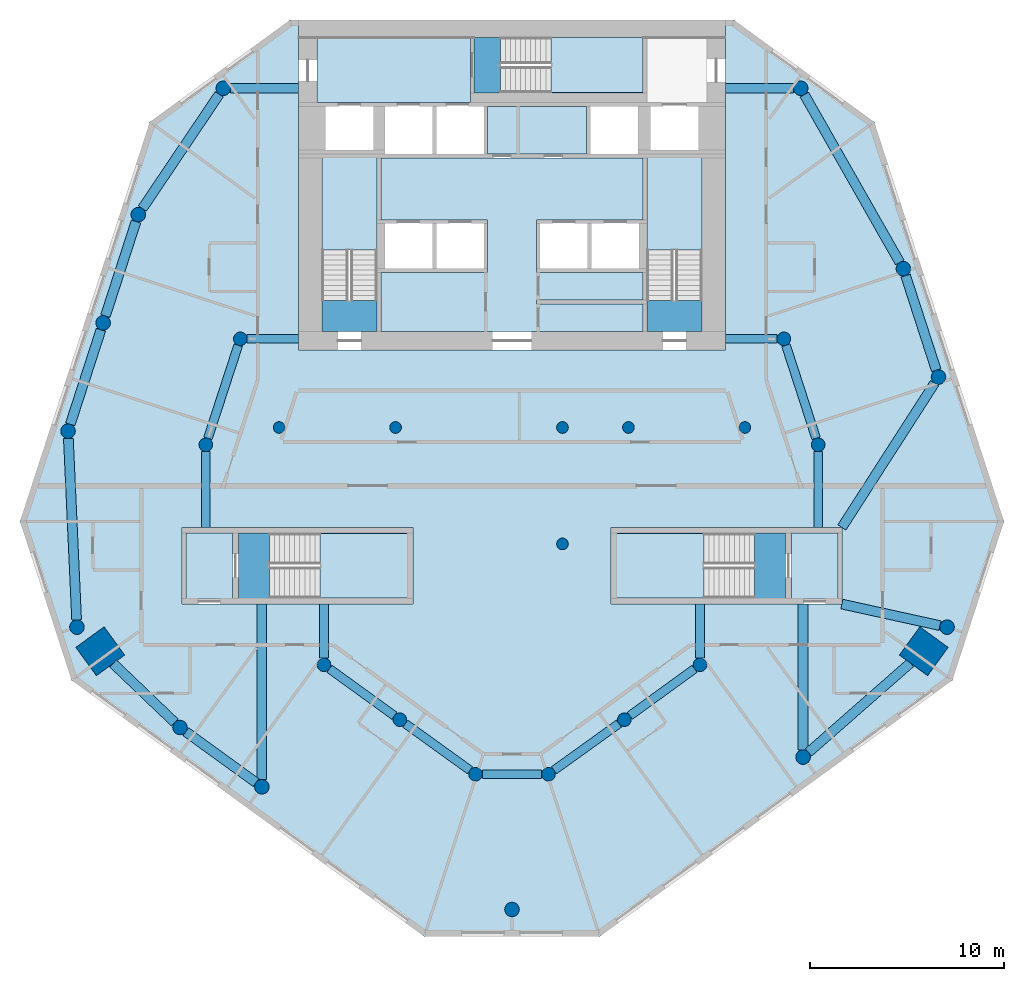
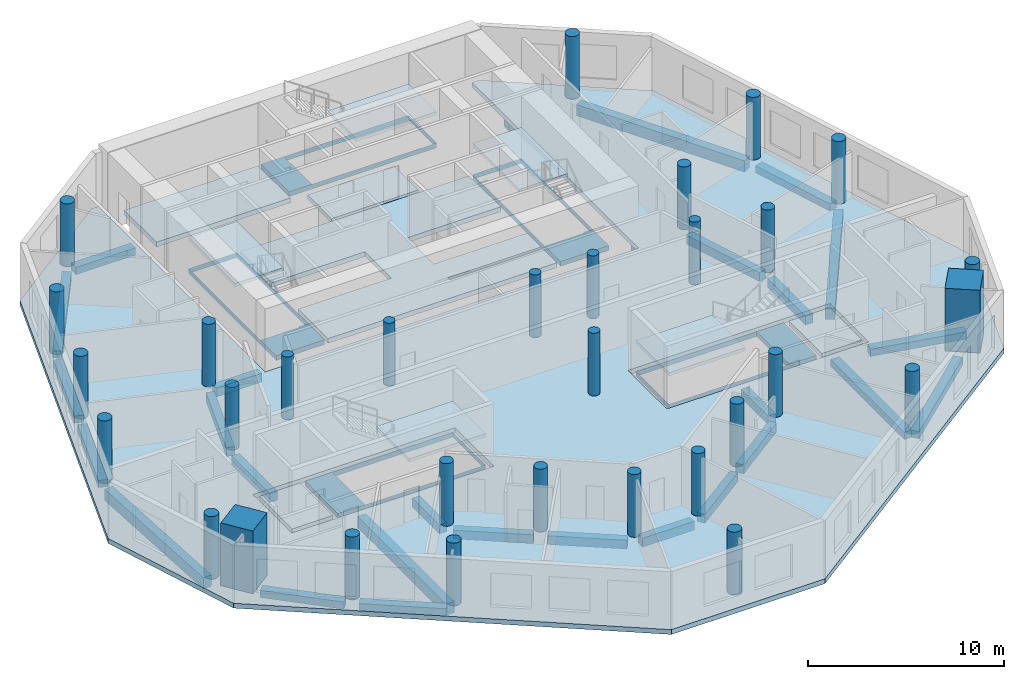
# One storey, part 1 of 9: 31 columns, 28 beams, 16 slabs, 5 elements without a shape of their own.
"""IFC4 building model written with IfcOpenShell, lengths in metres."""

import ifcopenshell
import ifcopenshell.guid

model = None  # the IFC model being written
_history = None  # IfcOwnerHistory: only IFC2X3 demands one
_inside = {}  # id of a spatial element -> (the spatial element, [elements in it])
_under = {}  # id of a project, library or spatial element -> (it, [spatial elements below it])
_declared = {}  # id of a project -> (the project, [libraries it declares])
_typed = {}  # id of a type object -> (the type object, [elements of that type])
_made_of = {}  # id of a material, layer set ... -> (it, [elements and type objects made of it])


def new_model(schema):
    """Start an empty IFC model of exactly this schema.

    Asked for "IFC4X3", IfcOpenShell would pick the latest addendum, in which some entities
    have other attributes; the version numbers below select the first issue.
    IFC2X3 requires an IfcOwnerHistory on every rooted entity: one is made here for all.
    """
    global model, _history
    if schema == "IFC4X3":
        model = ifcopenshell.file(schema_version=(4, 3, 0, 0))
    else:
        model = ifcopenshell.file(schema=schema)
    _inside.clear()
    _under.clear()
    _declared.clear()
    _typed.clear()
    _made_of.clear()
    _history = None
    if model.schema == "IFC2X3":
        org = make("IfcOrganization", Name="unknown")
        user = make(
            "IfcPersonAndOrganization",
            ThePerson=make("IfcPerson", FamilyName="unknown"),
            TheOrganization=org,
        )
        app = make(
            "IfcApplication",
            ApplicationDeveloper=org,
            Version="unknown",
            ApplicationFullName="unknown",
            ApplicationIdentifier="unknown",
        )
        _history = make(
            "IfcOwnerHistory",
            OwningUser=user,
            OwningApplication=app,
            ChangeAction="ADDED",
            CreationDate=0,
        )
    return model


def make(cls, **values):
    """One entity of the class cls with the attributes given. An attribute that is None is left unset."""
    return model.create_entity(
        cls, **{name: value for name, value in values.items() if value is not None}
    )


def rooted(cls, **values):
    """An entity with a GlobalId (a new one), such as an element, a storey or a relation."""
    return make(cls, GlobalId=ifcopenshell.guid.new(), OwnerHistory=_history, **values)


def si_unit(unit_type, name, prefix=None):
    """IfcSIUnit, for example si_unit("LENGTHUNIT", "METRE", prefix="MILLI")."""
    return make("IfcSIUnit", UnitType=unit_type, Prefix=prefix, Name=name)


def assignment(units):
    """IfcUnitAssignment: the units of a project."""
    return None if units is None else make("IfcUnitAssignment", Units=units)


def point(xyz):
    """IfcCartesianPoint."""
    return None if xyz is None else make("IfcCartesianPoint", Coordinates=xyz)


def direction(xyz):
    """IfcDirection."""
    return None if xyz is None else make("IfcDirection", DirectionRatios=xyz)


def frame(location, z_axis=None, x_axis=None):
    """IfcAxis2Placement3D, a coordinate frame: its origin and axes. An axis left out is left unset."""
    return make(
        "IfcAxis2Placement3D",
        Location=point(location),
        Axis=direction(z_axis),
        RefDirection=direction(x_axis),
    )


def frame_2d(location, x_axis=None):
    """IfcAxis2Placement2D, a coordinate frame in the plane: its origin and x axis."""
    return make(
        "IfcAxis2Placement2D", Location=point(location), RefDirection=direction(x_axis)
    )


def origin():
    """The frame at (0, 0, 0) with its axes left unset."""
    return frame((0.0, 0.0, 0.0))


def origin_2d():
    """The frame at (0, 0) in the plane with its x axis left unset."""
    return frame_2d((0.0, 0.0))


def place(relative_to, where):
    """IfcLocalPlacement: puts the frame where relative to a parent placement (None: the world)."""
    return make(
        "IfcLocalPlacement", PlacementRelTo=relative_to, RelativePlacement=where
    )


def context(
    kind, dimensions, precision=None, world=None, true_north=None, identifier=None
):
    """IfcGeometricRepresentationContext, for example the 3D "Model" context."""
    return make(
        "IfcGeometricRepresentationContext",
        ContextIdentifier=identifier,
        ContextType=kind,
        CoordinateSpaceDimension=dimensions,
        Precision=precision,
        WorldCoordinateSystem=world,
        TrueNorth=true_north,
    )


def subcontext(parent, identifier, kind, view, scale=None):
    """IfcGeometricRepresentationSubContext, for example "Body" below "Model"."""
    return make(
        "IfcGeometricRepresentationSubContext",
        ContextIdentifier=identifier,
        ContextType=kind,
        ParentContext=parent,
        TargetScale=scale,
        TargetView=view,
    )


def project(units=None, contexts=None):
    """IfcProject with its units and contexts."""
    return rooted(
        "IfcProject",
        Name="project",
        RepresentationContexts=contexts,
        UnitsInContext=assignment(units),
    )


def spatial(cls, under=None, at=None, **own):
    """A site, building, storey or space (cls), placed at a placement, below another one or the project."""
    s = rooted(cls, ObjectPlacement=at, **own)
    if under is not None:
        _under.setdefault(under.id(), (under, []))[1].append(s)
    return s


def polyline(points):
    """IfcPolyline through the points."""
    return make("IfcPolyline", Points=[point(p) for p in points])


def profile(cls, at=None, kind="AREA", **sizes):
    """A parametric profile (cls). Its sizes go by their IFC names, for example OverallWidth=200.0."""
    return make(cls, ProfileType=kind, Position=at, **sizes)


def rectangle(**sizes):
    """IfcRectangleProfileDef."""
    return profile("IfcRectangleProfileDef", **sizes)


def circle(**sizes):
    """IfcCircleProfileDef."""
    return profile("IfcCircleProfileDef", **sizes)


def outline(outer, holes=None, kind="AREA"):
    """IfcArbitraryClosedProfileDef: a profile drawn as a closed curve; with holes, ...WithVoids."""
    if holes is None:
        return make("IfcArbitraryClosedProfileDef", ProfileType=kind, OuterCurve=outer)
    return make(
        "IfcArbitraryProfileDefWithVoids",
        ProfileType=kind,
        OuterCurve=outer,
        InnerCurves=holes,
    )


def extrude(swept, where, along, depth):
    """IfcExtrudedAreaSolid: the profile swept, set in the frame where, extruded along a direction by depth."""
    return make(
        "IfcExtrudedAreaSolid",
        SweptArea=swept,
        Position=where,
        ExtrudedDirection=direction(along),
        Depth=depth,
    )


def shape(context_of_items, identifier, shape_type, items):
    """IfcShapeRepresentation: the items that make up one representation, for example the "Body"."""
    return make(
        "IfcShapeRepresentation",
        ContextOfItems=context_of_items,
        RepresentationIdentifier=identifier,
        RepresentationType=shape_type,
        Items=items,
    )


def material(Name=None, Category=None):
    """IfcMaterial."""
    return make("IfcMaterial", Name=Name, Category=Category)


def layer(
    of_material, thickness, ventilated=None, Name=None, Category=None, Priority=None
):
    """IfcMaterialLayer: one layer of a wall or slab, of a material (None: an air gap)."""
    return make(
        "IfcMaterialLayer",
        Material=of_material,
        LayerThickness=thickness,
        IsVentilated=ventilated,
        Name=Name,
        Category=Category,
        Priority=Priority,
    )


def layer_set(layers, Name=None):
    """IfcMaterialLayerSet."""
    return make("IfcMaterialLayerSet", MaterialLayers=layers, LayerSetName=Name)


def material_profile(
    of_material, cross_section, Name=None, Category=None, Priority=None
):
    """IfcMaterialProfile: a cross section and its material."""
    return make(
        "IfcMaterialProfile",
        Name=Name,
        Material=of_material,
        Profile=cross_section,
        Priority=Priority,
        Category=Category,
    )


def profile_set(profiles, Name=None, composite=None):
    """IfcMaterialProfileSet."""
    return make(
        "IfcMaterialProfileSet",
        Name=Name,
        MaterialProfiles=profiles,
        CompositeProfile=composite,
    )


def made_of(thing, what):
    """Note that an element or type object is made of a material, layer set ...; save() writes the relation."""
    if what is not None:
        _made_of.setdefault(what.id(), (what, []))[1].append(thing)
    return thing


def type_object(cls, material=None, **own):
    """A type object (cls), such as IfcWallType, which elements share."""
    return made_of(rooted(cls, **own), material)


def element(
    cls,
    number,
    at=None,
    inside=None,
    cuts=None,
    type_object=None,
    material=None,
    context=None,
    identifier="Body",
    shape_type=None,
    held_by="IfcProductDefinitionShape",
    body=None,
    shapes=None,
    **own,
):
    """One element of the class cls, such as IfcWall. Its Tag is "e" and its number.

    at: its placement. inside: the storey or other place that contains it. cuts: it is an
    opening in that element (IfcRelVoidsElement). A single representation is given by context,
    identifier, shape_type and body (its items); several are given by shapes. held_by: the class
    of the entity that holds the representations. save() writes the other relations.
    """
    e = rooted(cls, Tag="e%d" % number, ObjectPlacement=at, **own)
    if body is not None:
        shapes = [shape(context, identifier, shape_type, body)]
    if shapes is not None:
        e.Representation = make(held_by, Representations=shapes)
    if inside is not None:
        _inside.setdefault(inside.id(), (inside, []))[1].append(e)
    if cuts is not None:
        rooted(
            "IfcRelVoidsElement", RelatingBuildingElement=cuts, RelatedOpeningElement=e
        )
    if type_object is not None:
        _typed.setdefault(type_object.id(), (type_object, []))[1].append(e)
    return made_of(e, material)


def aggregate(whole, parts):
    """IfcRelAggregates: a whole, such as a stair, and the parts it consists of."""
    return rooted("IfcRelAggregates", RelatingObject=whole, RelatedObjects=parts)


def save(model, path):
    """Write the relations noted so far, then the file.

    IfcRelAggregates (storeys below a building ...), IfcRelContainedInSpatialStructure (elements
    in a storey), IfcRelDefinesByType, IfcRelAssociatesMaterial and IfcRelDeclares: one each for
    every whole, place, type object, material and project.
    """
    for whole, parts in _under.values():
        aggregate(whole, parts)
    for where, things in _inside.values():
        rooted(
            "IfcRelContainedInSpatialStructure",
            RelatedElements=things,
            RelatingStructure=where,
        )
    for kind, things in _typed.values():
        rooted("IfcRelDefinesByType", RelatedObjects=things, RelatingType=kind)
    for what, things in _made_of.values():
        rooted("IfcRelAssociatesMaterial", RelatedObjects=things, RelatingMaterial=what)
    for by, libraries in _declared.values():
        rooted("IfcRelDeclares", RelatingContext=by, RelatedDefinitions=libraries)
    model.write(path)


model = new_model("IFC4")

# Units and contexts
model_context = context("Model", 3, precision=1e-05, world=origin(), true_north=direction((0.0, 1.0)))
body_context = subcontext(model_context, "Body", "Model", "MODEL_VIEW")
ifc_project = project(units=[si_unit("LENGTHUNIT", "METRE"), si_unit("AREAUNIT", "SQUARE_METRE"), si_unit("VOLUMEUNIT", "CUBIC_METRE"), si_unit("PLANEANGLEUNIT", "RADIAN"), si_unit("MASSUNIT", "GRAM", prefix="KILO")], contexts=[model_context])

# Site, building, storey
site_placement = place(None, origin())
site = spatial("IfcSite", under=ifc_project, at=site_placement, CompositionType="ELEMENT")
building_placement = place(site_placement, origin())
building = spatial("IfcBuilding", under=site, at=building_placement, Name="White Candle Pilgrim Tower", CompositionType="ELEMENT")
storey_placement = place(building_placement, frame((0.0, 0.0, 168.10009765625)))
storey = spatial("IfcBuildingStorey", under=building, at=storey_placement, Name="L38", CompositionType="ELEMENT", Elevation=168.10009765625)

# Columns
ifc_material_1 = material(Name="Concrete C70/85", Category="concrete")
ifc_material_profile_1 = material_profile(ifc_material_1, circle(Radius=0.300048828125, at=origin_2d()), Name="RC-COL D600")
ifc_profile_set_1 = profile_set([ifc_material_profile_1], Name="Concrete C70/85")
column_type_1 = type_object("IfcColumnType", Name="Interior column RC-COL D600 C70/85", PredefinedType="COLUMN", material=ifc_profile_set_1)
for number, where, z_axis, x_axis, name in (
    (1, (58.0, 67.0, 0.0), (0.0, 0.0, 1.0), (1.0, 0.0, 0.0), "L38 column I01"),
    (2, (64.0, 67.0, 0.0), (0.0, 0.0, 1.0), (1.0, 0.0, 0.0), "L38 column I02"),
    (3, (72.60009765625, 61.0, 0.0), (0.0, 0.0, 1.0), (1.0, 0.0, 0.0), "L38 column I03"),
    (4, (72.60009765625, 67.0, 0.0), (0.0, 0.0, 1.0), (1.0, 0.0, 0.0), "L38 column I04"),
    (5, (76.0, 67.0, 0.0), (0.0, 0.0, 1.0), (1.0, 0.0, 0.0), "L38 column I05"),
    (6, (82.0, 67.0, 0.0), (0.0, 0.0, 1.0), (1.0, 0.0, 0.0), "L38 column I06"),
):
    element("IfcColumn", number, at=place(storey_placement, frame(where, z_axis=z_axis, x_axis=x_axis)), inside=storey, type_object=column_type_1, Name=name, PredefinedType="COLUMN", context=body_context, shape_type="SweptSolid", body=[
        extrude(circle(Radius=0.300048828125, at=origin_2d()), origin(), (0.0, 0.0, 1.0), 3.89990234375),
    ])
ifc_material_profile_2 = material_profile(ifc_material_1, rectangle(XDim=1.800048828125, YDim=1.800048828125, at=origin_2d()), Name="RC 1800x1800")
ifc_profile_set_2 = profile_set([ifc_material_profile_2], Name="Concrete C70/85")
column_type_2 = type_object("IfcColumnType", Name="Mega column RC 1800x1800 C70/85", PredefinedType="COLUMN", material=ifc_profile_set_2)
for number, where, z_axis, x_axis, name in (
    (7, (48.780029296875, 55.469970703125, 0.0), (0.0, 0.0, 1.0), (-0.809016994375, -0.587785252292, 0.0), "L38 mega column T02"),
    (8, (91.219970703125, 55.469970703125, 0.0), (0.0, 0.0, 1.0), (0.809016994375, -0.587785252292, 0.0), "L38 mega column T07"),
):
    element("IfcColumn", number, at=place(storey_placement, frame(where, z_axis=z_axis, x_axis=x_axis)), inside=storey, type_object=column_type_2, Name=name, PredefinedType="COLUMN", context=body_context, shape_type="SweptSolid", body=[
        extrude(rectangle(XDim=1.800048828125, YDim=1.800048828125, at=origin_2d()), origin(), (0.0, 0.0, 1.0), 3.89990234375),
    ])
ifc_material_profile_3 = material_profile(ifc_material_1, circle(Radius=0.375, at=origin_2d()), Name="RC-COL D750")
ifc_profile_set_3 = profile_set([ifc_material_profile_3], Name="Concrete C70/85")
column_type_3 = type_object("IfcColumnType", Name="Perimeter column RC-COL D750 C70/85", PredefinedType="COLUMN", material=ifc_profile_set_3)
for number, where, z_axis, x_axis, name in (
    (9, (47.580078125, 56.7099609375, 0.0), (0.0, 0.0, 1.0), (1.0, 0.0, 0.0), "L38 column T01"),
    (10, (52.889892578125, 51.5400390625, 0.0), (0.0, 0.0, 1.0), (1.0, 0.0, 0.0), "L38 column T03"),
    (11, (57.110107421875, 48.47998046875, 0.0), (0.0, 0.0, 1.0), (1.0, 0.0, 0.0), "L38 column T04"),
    (12, (70.0, 42.159912109375, 0.0), (0.0, 0.0, 1.0), (1.0, 0.0, 0.0), "L38 column T05"),
    (13, (85.0, 50.010009765625, 0.0), (0.0, 0.0, 1.0), (1.0, 0.0, 0.0), "L38 column T06"),
    (14, (92.419921875, 56.7099609375, 0.0), (0.0, 0.0, 1.0), (1.0, 0.0, 0.0), "L38 column T08"),
    (15, (91.97998046875, 69.60009765625, 0.0), (0.0, 0.0, 1.0), (1.0, 0.0, 0.0), "L38 column T09"),
    (16, (90.169921875, 75.179931640625, 0.0), (0.0, 0.0, 1.0), (1.0, 0.0, 0.0), "L38 column T10"),
    (17, (84.8798828125, 84.47998046875, 0.0), (0.0, 0.0, 1.0), (1.0, 0.0, 0.0), "L38 column T11"),
    (18, (55.1201171875, 84.47998046875, 0.0), (0.0, 0.0, 1.0), (1.0, 0.0, 0.0), "L38 column T12"),
    (19, (50.739990234375, 77.969970703125, 0.0), (0.0, 0.0, 1.0), (1.0, 0.0, 0.0), "L38 column T13"),
    (20, (48.929931640625, 72.389892578125, 0.0), (0.0, 0.0, 1.0), (1.0, 0.0, 0.0), "L38 column T14"),
    (21, (47.1201171875, 66.81005859375, 0.0), (0.0, 0.0, 1.0), (1.0, 0.0, 0.0), "L38 column T15"),
):
    element("IfcColumn", number, at=place(storey_placement, frame(where, z_axis=z_axis, x_axis=x_axis)), inside=storey, type_object=column_type_3, Name=name, PredefinedType="COLUMN", context=body_context, shape_type="SweptSolid", body=[
        extrude(circle(Radius=0.375, at=origin_2d()), origin(), (0.0, 0.0, 1.0), 3.89990234375),
    ])
ifc_material_profile_4 = material_profile(ifc_material_1, circle(Radius=0.35009765625, at=origin_2d()), Name="RC-COL D700")
ifc_profile_set_4 = profile_set([ifc_material_profile_4], Name="Concrete C70/85")
column_type_4 = type_object("IfcColumnType", Name="Ring column RC-COL D700 C70/85", PredefinedType="COLUMN", material=ifc_profile_set_4)
for number, where, z_axis, x_axis, name in (
    (22, (60.31005859375, 54.77001953125, 0.0), (0.0, 0.0, 1.0), (1.0, 0.0, 0.0), "L38 column R01"),
    (23, (64.219970703125, 51.93994140625, 0.0), (0.0, 0.0, 1.0), (1.0, 0.0, 0.0), "L38 column R02"),
    (24, (68.1201171875, 49.1298828125, 0.0), (0.0, 0.0, 1.0), (1.0, 0.0, 0.0), "L38 column R03"),
    (25, (71.8798828125, 49.1298828125, 0.0), (0.0, 0.0, 1.0), (1.0, 0.0, 0.0), "L38 column R04"),
    (26, (75.7900390625, 51.93994140625, 0.0), (0.0, 0.0, 1.0), (1.0, 0.0, 0.0), "L38 column R05"),
    (27, (79.68994140625, 54.77001953125, 0.0), (0.0, 0.0, 1.0), (1.0, 0.0, 0.0), "L38 column R06"),
    (28, (85.780029296875, 66.110107421875, 0.0), (0.0, 0.0, 1.0), (1.0, 0.0, 0.0), "L38 column R07"),
    (29, (84.010009765625, 71.570068359375, 0.0), (0.0, 0.0, 1.0), (1.0, 0.0, 0.0), "L38 column R08"),
    (30, (56.0, 71.570068359375, 0.0), (0.0, 0.0, 1.0), (1.0, 0.0, 0.0), "L38 column R09"),
    (31, (54.219970703125, 66.110107421875, 0.0), (0.0, 0.0, 1.0), (1.0, 0.0, 0.0), "L38 column R10"),
):
    element("IfcColumn", number, at=place(storey_placement, frame(where, z_axis=z_axis, x_axis=x_axis)), inside=storey, type_object=column_type_4, Name=name, PredefinedType="COLUMN", context=body_context, shape_type="SweptSolid", body=[
        extrude(circle(Radius=0.35009765625, at=origin_2d()), origin(), (0.0, 0.0, 1.0), 3.89990234375),
    ])

# Beams
ifc_material_2 = material(Name="Concrete C50/60", Category="concrete")
ifc_material_profile_5 = material_profile(ifc_material_2, rectangle(XDim=0.449951171875, YDim=0.550048828125, at=origin_2d()), Name="RC-BM 450x550")
ifc_profile_set_5 = profile_set([ifc_material_profile_5], Name="Concrete C50/60")
beam_type_1 = type_object("IfcBeamType", Name="Ring beam RC-BM 450x550 C50/60", PredefinedType="BEAM", material=ifc_profile_set_5)
beam_1_placement = place(storey_placement, frame((60.593505859375, 54.56494140625, -0.5751953125), z_axis=(0.810043858436, -0.586369292691, 0.0), x_axis=(0.586369292691, 0.810043858436, 0.0)))
element("IfcBeam", 32, at=beam_1_placement, inside=storey, type_object=beam_type_1, Name="L38 ring beam R01", PredefinedType="BEAM", context=body_context, shape_type="SweptSolid", body=[
    extrude(rectangle(XDim=0.449951171875, YDim=0.550048828125, at=origin_2d()), origin(), (0.0, 0.0, 1.0), 4.126953125),
])
beam_2_placement = place(storey_placement, frame((64.50390625, 51.735595703125, -0.5751953125), z_axis=(0.811316688041, -0.584606903574, 0.0), x_axis=(0.584606903574, 0.811316688041, 0.0)))
element("IfcBeam", 33, at=beam_2_placement, inside=storey, type_object=beam_type_1, Name="L38 ring beam R02", PredefinedType="BEAM", context=body_context, shape_type="SweptSolid", body=[
    extrude(rectangle(XDim=0.449951171875, YDim=0.550048828125, at=origin_2d()), origin(), (0.0, 0.0, 1.0), 4.107177734375),
])
beam_3_placement = place(storey_placement, frame((68.469970703125, 49.1298828125, -0.5751953125), z_axis=(1.0, 0.0, 0.0), x_axis=(0.0, 1.0, 0.0)))
element("IfcBeam", 34, at=beam_3_placement, inside=storey, type_object=beam_type_1, Name="L38 ring beam R03", PredefinedType="BEAM", context=body_context, shape_type="SweptSolid", body=[
    extrude(rectangle(XDim=0.449951171875, YDim=0.550048828125, at=origin_2d()), origin(), (0.0, 0.0, 1.0), 3.06005859375),
])
beam_4_placement = place(storey_placement, frame((72.1640625, 49.333984375, -0.5751953125), z_axis=(0.812022399974, 0.583626269063, 0.0), x_axis=(-0.583626269063, 0.812022399974, 0.0)))
element("IfcBeam", 35, at=beam_4_placement, inside=storey, type_object=beam_type_1, Name="L38 ring beam R04", PredefinedType="BEAM", context=body_context, shape_type="SweptSolid", body=[
    extrude(rectangle(XDim=0.449951171875, YDim=0.550048828125, at=origin_2d()), origin(), (0.0, 0.0, 1.0), 4.115478515625),
])
beam_5_placement = place(storey_placement, frame((76.072998046875, 52.1455078125, -0.5751953125), z_axis=(0.809401961177, 0.587255025728, 0.0), x_axis=(-0.587255025728, 0.809401961177, 0.0)))
element("IfcBeam", 36, at=beam_5_placement, inside=storey, type_object=beam_type_1, Name="L38 ring beam R05", PredefinedType="BEAM", context=body_context, shape_type="SweptSolid", body=[
    extrude(rectangle(XDim=0.449951171875, YDim=0.550048828125, at=origin_2d()), origin(), (0.0, 0.0, 1.0), 4.119140625),
])
beam_6_placement = place(storey_placement, frame((79.68994140625, 55.1201171875, -0.5751953125), z_axis=(0.0, 1.0, 0.0), x_axis=(-1.0, 0.0, 0.0)))
element("IfcBeam", 37, at=beam_6_placement, inside=storey, type_object=beam_type_1, Name="L38 ring beam R06", PredefinedType="BEAM", context=body_context, shape_type="SweptSolid", body=[
    extrude(rectangle(XDim=0.449951171875, YDim=0.550048828125, at=origin_2d()), origin(), (0.0, 0.0, 1.0), 2.77978515625),
])
beam_7_placement = place(storey_placement, frame((85.780029296875, 65.760009765625, -0.5751953125), z_axis=(0.0, -1.0, 0.0), x_axis=(1.0, 0.0, 0.0)))
element("IfcBeam", 38, at=beam_7_placement, inside=storey, type_object=beam_type_1, Name="L38 ring beam R07", PredefinedType="BEAM", context=body_context, shape_type="SweptSolid", body=[
    extrude(rectangle(XDim=0.449951171875, YDim=0.550048828125, at=origin_2d()), origin(), (0.0, 0.0, 1.0), 3.909912109375),
])
beam_8_placement = place(storey_placement, frame((85.672119140625, 66.44287109375, -0.5751953125), z_axis=(-0.308369651752, 0.95126660715, 0.0), x_axis=(-0.95126660715, -0.308369651752, 0.0)))
element("IfcBeam", 39, at=beam_8_placement, inside=storey, type_object=beam_type_1, Name="L38 ring beam R08", PredefinedType="BEAM", context=body_context, shape_type="SweptSolid", body=[
    extrude(rectangle(XDim=0.449951171875, YDim=0.550048828125, at=origin_2d()), origin(), (0.0, 0.0, 1.0), 5.0400390625),
])
beam_9_placement = place(storey_placement, frame((83.659912109375, 71.570068359375, -0.5751953125), z_axis=(-1.0, 0.0, 0.0), x_axis=(0.0, -1.0, 0.0)))
element("IfcBeam", 40, at=beam_9_placement, inside=storey, type_object=beam_type_1, Name="L38 ring beam R09", PredefinedType="BEAM", context=body_context, shape_type="SweptSolid", body=[
    extrude(rectangle(XDim=0.449951171875, YDim=0.550048828125, at=origin_2d()), origin(), (0.0, 0.0, 1.0), 2.659912109375),
])
beam_10_placement = place(storey_placement, frame((56.35009765625, 71.570068359375, -0.5751953125), z_axis=(1.0, 0.0, 0.0), x_axis=(0.0, 1.0, 0.0)))
element("IfcBeam", 41, at=beam_10_placement, inside=storey, type_object=beam_type_1, Name="L38 ring beam R10", PredefinedType="BEAM", context=body_context, shape_type="SweptSolid", body=[
    extrude(rectangle(XDim=0.449951171875, YDim=0.550048828125, at=origin_2d()), origin(), (0.0, 0.0, 1.0), 2.64990234375),
])
beam_11_placement = place(storey_placement, frame((55.8916015625, 71.2373046875, -0.5751953125), z_axis=(-0.309975890104, -0.950744417577, 0.0), x_axis=(0.950744417577, -0.309975890104, 0.0)))
element("IfcBeam", 42, at=beam_11_placement, inside=storey, type_object=beam_type_1, Name="L38 ring beam R11", PredefinedType="BEAM", context=body_context, shape_type="SweptSolid", body=[
    extrude(rectangle(XDim=0.449951171875, YDim=0.550048828125, at=origin_2d()), origin(), (0.0, 0.0, 1.0), 5.04296875),
])
beam_12_placement = place(storey_placement, frame((54.219970703125, 65.760009765625, -0.5751953125), z_axis=(0.0, -1.0, 0.0), x_axis=(1.0, 0.0, 0.0)))
element("IfcBeam", 43, at=beam_12_placement, inside=storey, type_object=beam_type_1, Name="L38 ring beam R12", PredefinedType="BEAM", context=body_context, shape_type="SweptSolid", body=[
    extrude(rectangle(XDim=0.449951171875, YDim=0.550048828125, at=origin_2d()), origin(), (0.0, 0.0, 1.0), 3.909912109375),
])
beam_13_placement = place(storey_placement, frame((60.31005859375, 55.1201171875, -0.5751953125), z_axis=(0.0, 1.0, 0.0), x_axis=(-1.0, 0.0, 0.0)))
element("IfcBeam", 44, at=beam_13_placement, inside=storey, type_object=beam_type_1, Name="L38 ring beam R13", PredefinedType="BEAM", context=body_context, shape_type="SweptSolid", body=[
    extrude(rectangle(XDim=0.449951171875, YDim=0.550048828125, at=origin_2d()), origin(), (0.0, 0.0, 1.0), 2.77978515625),
])
ifc_material_profile_6 = material_profile(ifc_material_2, rectangle(XDim=0.5, YDim=0.449951171875, at=origin_2d()), Name="RC-BM 500x450")
ifc_profile_set_6 = profile_set([ifc_material_profile_6], Name="Concrete C50/60")
beam_type_2 = type_object("IfcBeamType", Name="Spandrel beam RC-BM 500x450 C50/60", PredefinedType="BEAM", material=ifc_profile_set_6)
beam_14_placement = place(storey_placement, frame((49.441162109375, 54.837890625, -0.525146484375), z_axis=(0.722753991569, -0.691105395487, 0.0), x_axis=(0.691105395487, 0.722753991569, 0.0)))
element("IfcBeam", 45, at=beam_14_placement, inside=storey, type_object=beam_type_2, Name="L38 spandrel beam T01", PredefinedType="BEAM", context=body_context, shape_type="SweptSolid", body=[
    extrude(rectangle(XDim=0.5, YDim=0.449951171875, at=origin_2d()), origin(), (0.0, 0.0, 1.0), 4.39697265625),
])
beam_15_placement = place(storey_placement, frame((53.193359375, 51.320068359375, -0.525146484375), z_axis=(0.809558451789, -0.587039277338, 0.0), x_axis=(0.587039277338, 0.809558451789, 0.0)))
element("IfcBeam", 46, at=beam_15_placement, inside=storey, type_object=beam_type_2, Name="L38 spandrel beam T02", PredefinedType="BEAM", context=body_context, shape_type="SweptSolid", body=[
    extrude(rectangle(XDim=0.5, YDim=0.449951171875, at=origin_2d()), origin(), (0.0, 0.0, 1.0), 4.46337890625),
])
beam_16_placement = place(storey_placement, frame((85.0, 50.385009765625, -0.525146484375), z_axis=(0.0, 1.0, 0.0), x_axis=(-1.0, 0.0, 0.0)))
element("IfcBeam", 47, at=beam_16_placement, inside=storey, type_object=beam_type_2, Name="L38 spandrel beam T04", PredefinedType="BEAM", context=body_context, shape_type="SweptSolid", body=[
    extrude(rectangle(XDim=0.5, YDim=0.449951171875, at=origin_2d()), origin(), (0.0, 0.0, 1.0), 7.514892578125),
])
beam_17_placement = place(storey_placement, frame((85.28173828125, 50.25732421875, -0.525146484375), z_axis=(0.751529055224, 0.65969999178, 0.0), x_axis=(-0.65969999178, 0.751529055224, 0.0)))
element("IfcBeam", 48, at=beam_17_placement, inside=storey, type_object=beam_type_2, Name="L38 spandrel beam T05", PredefinedType="BEAM", context=body_context, shape_type="SweptSolid", body=[
    extrude(rectangle(XDim=0.5, YDim=0.449951171875, at=origin_2d()), origin(), (0.0, 0.0, 1.0), 6.97900390625),
])
beam_18_placement = place(storey_placement, frame((92.053955078125, 56.790283203125, -0.525146484375), z_axis=(-0.976735666267, 0.214446819148, 0.0), x_axis=(-0.214446819148, -0.976735666267, 0.0)))
element("IfcBeam", 49, at=beam_18_placement, inside=storey, type_object=beam_type_2, Name="L38 spandrel beam T06", PredefinedType="BEAM", context=body_context, shape_type="SweptSolid", body=[
    extrude(rectangle(XDim=0.5, YDim=0.449951171875, at=origin_2d()), origin(), (0.0, 0.0, 1.0), 5.17431640625),
])
beam_19_placement = place(storey_placement, frame((91.8642578125, 69.95654296875, -0.525146484375), z_axis=(-0.308530369215, 0.951214492779, 0.0), x_axis=(-0.951214492779, -0.308530369215, 0.0)))
element("IfcBeam", 50, at=beam_19_placement, inside=storey, type_object=beam_type_2, Name="L38 spandrel beam T08", PredefinedType="BEAM", context=body_context, shape_type="SweptSolid", body=[
    extrude(rectangle(XDim=0.5, YDim=0.449951171875, at=origin_2d()), origin(), (0.0, 0.0, 1.0), 5.116455078125),
])
for number, where, z_axis, x_axis, name in (
    (51, (84.5048828125, 84.47998046875, -0.525146484375), (-1.0, 0.0, 0.0), (0.0, -1.0, 0.0), "L38 spandrel beam T10"),
    (52, (55.4951171875, 84.47998046875, -0.525146484375), (1.0, 0.0, 0.0), (0.0, 1.0, 0.0), "L38 spandrel beam T11"),
):
    element("IfcBeam", number, at=place(storey_placement, frame(where, z_axis=z_axis, x_axis=x_axis)), inside=storey, type_object=beam_type_2, Name=name, PredefinedType="BEAM", context=body_context, shape_type="SweptSolid", body=[
        extrude(rectangle(XDim=0.5, YDim=0.449951171875, at=origin_2d()), origin(), (0.0, 0.0, 1.0), 3.5048828125),
    ])
beam_20_placement = place(storey_placement, frame((54.91064453125, 84.1689453125, -0.525146484375), z_axis=(-0.55822018442, -0.82969285022, 0.0), x_axis=(0.82969285022, -0.55822018442, 0.0)))
element("IfcBeam", 53, at=beam_20_placement, inside=storey, type_object=beam_type_2, Name="L38 spandrel beam T12", PredefinedType="BEAM", context=body_context, shape_type="SweptSolid", body=[
    extrude(rectangle(XDim=0.5, YDim=0.449951171875, at=origin_2d()), origin(), (0.0, 0.0, 1.0), 7.096435546875),
])
beam_21_placement = place(storey_placement, frame((50.624267578125, 77.61328125, -0.525146484375), z_axis=(-0.308544373382, -0.951209950355, 0.0), x_axis=(0.951209950355, -0.308544373382, 0.0)))
element("IfcBeam", 54, at=beam_21_placement, inside=storey, type_object=beam_type_2, Name="L38 spandrel beam T13", PredefinedType="BEAM", context=body_context, shape_type="SweptSolid", body=[
    extrude(rectangle(XDim=0.5, YDim=0.449951171875, at=origin_2d()), origin(), (0.0, 0.0, 1.0), 5.1162109375),
])
beam_22_placement = place(storey_placement, frame((48.814208984375, 72.033447265625, -0.525146484375), z_axis=(-0.308530369215, -0.951214492779, 0.0), x_axis=(0.951214492779, -0.308530369215, 0.0)))
element("IfcBeam", 55, at=beam_22_placement, inside=storey, type_object=beam_type_2, Name="L38 spandrel beam T14", PredefinedType="BEAM", context=body_context, shape_type="SweptSolid", body=[
    extrude(rectangle(XDim=0.5, YDim=0.449951171875, at=origin_2d()), origin(), (0.0, 0.0, 1.0), 5.116455078125),
])
ifc_material_profile_7 = material_profile(ifc_material_2, rectangle(XDim=0.5, YDim=0.699951171875, at=origin_2d()), Name="RC-BM 500x700")
ifc_profile_set_7 = profile_set([ifc_material_profile_7], Name="Concrete C50/60")
beam_type_3 = type_object("IfcBeamType", Name="Spandrel beam RC-BM 500x700 C50/60", PredefinedType="BEAM", material=ifc_profile_set_7)
beam_23_placement = place(storey_placement, frame((57.110107421875, 48.85498046875, -0.650146484375), z_axis=(0.0, 1.0, 0.0), x_axis=(-1.0, 0.0, 0.0)))
element("IfcBeam", 56, at=beam_23_placement, inside=storey, type_object=beam_type_3, Name="L38 spandrel beam T03", PredefinedType="BEAM", context=body_context, shape_type="SweptSolid", body=[
    extrude(rectangle(XDim=0.5, YDim=0.699951171875, at=origin_2d()), origin(), (0.0, 0.0, 1.0), 9.044921875),
])
beam_24_placement = place(storey_placement, frame((91.77734375, 69.28466796875, -0.650146484375), z_axis=(-0.540595612128, -0.841282582815, 0.0), x_axis=(0.841282582815, -0.540595612128, 0.0)))
element("IfcBeam", 57, at=beam_24_placement, inside=storey, type_object=beam_type_3, Name="L38 spandrel beam T07", PredefinedType="BEAM", context=body_context, shape_type="SweptSolid", body=[
    extrude(rectangle(XDim=0.5, YDim=0.699951171875, at=origin_2d()), origin(), (0.0, 0.0, 1.0), 8.837158203125),
])
beam_25_placement = place(storey_placement, frame((89.984619140625, 75.505859375, -0.650146484375), z_axis=(-0.494422929515, 0.869221471646, 0.0), x_axis=(-0.869221471646, -0.494422929515, 0.0)))
element("IfcBeam", 58, at=beam_25_placement, inside=storey, type_object=beam_type_3, Name="L38 spandrel beam T09", PredefinedType="BEAM", context=body_context, shape_type="SweptSolid", body=[
    extrude(rectangle(XDim=0.5, YDim=0.699951171875, at=origin_2d()), origin(), (0.0, 0.0, 1.0), 9.949462890625),
])
beam_26_placement = place(storey_placement, frame((47.13720703125, 66.435546875, -0.650146484375), z_axis=(0.045485743277, -0.998964987954, 0.0), x_axis=(0.998964987954, 0.045485743277, 0.0)))
element("IfcBeam", 59, at=beam_26_placement, inside=storey, type_object=beam_type_3, Name="L38 spandrel beam T15", PredefinedType="BEAM", context=body_context, shape_type="SweptSolid", body=[
    extrude(rectangle(XDim=0.5, YDim=0.699951171875, at=origin_2d()), origin(), (0.0, 0.0, 1.0), 9.36083984375),
])

# Slabs
ifc_material_3 = material(Name="Concrete C40/50", Category="concrete")
ifc_layer_1 = layer(ifc_material_3, 0.300048828125)
ifc_layer_set_1 = layer_set([ifc_layer_1], Name="Core floor slab 300 mm Concrete C40/50")
slab_type_1 = type_object("IfcSlabType", Name="Core floor slab 300 mm Concrete C40/50", PredefinedType="FLOOR", material=ifc_layer_set_1)
slab_1_placement = place(storey_placement, frame((0.0, 0.0, -0.300048828125)))
element("IfcSlab", 60, at=slab_1_placement, inside=storey, type_object=slab_type_1, Name="CF-L38-01", PredefinedType="FLOOR", context=body_context, shape_type="SweptSolid", body=[
    extrude(outline(polyline([(55.60009765625, 58.199951171875), (53.199951171875, 58.199951171875), (53.199951171875, 61.550048828125), (55.60009765625, 61.550048828125), (55.60009765625, 58.199951171875)])), origin(), (0.0, 0.0, 1.0), 0.300048828125),
])
slab_2_placement = place(storey_placement, frame((0.0, 0.0, -0.300048828125)))
element("IfcSlab", 61, at=slab_2_placement, inside=storey, type_object=slab_type_1, Name="CF-L38-02", PredefinedType="FLOOR", context=body_context, shape_type="SweptSolid", body=[
    extrude(outline(polyline([(55.89990234375, 58.199951171875), (55.89990234375, 61.550048828125), (64.60009765625, 61.550048828125), (64.60009765625, 58.199951171875), (55.89990234375, 58.199951171875)]), holes=[polyline([(57.501953125, 61.548095703125), (57.501953125, 58.201904296875), (64.597900390625, 58.201904296875), (64.597900390625, 61.548095703125), (57.501953125, 61.548095703125)])]), origin(), (0.0, 0.0, 1.0), 0.300048828125),
])
slab_3_placement = place(storey_placement, frame((0.0, 0.0, -0.300048828125)))
element("IfcSlab", 62, at=slab_3_placement, inside=storey, type_object=slab_type_1, Name="CF-L38-03", PredefinedType="FLOOR", context=body_context, shape_type="SweptSolid", body=[
    extrude(outline(polyline([(75.39990234375, 58.199951171875), (75.39990234375, 61.550048828125), (84.10009765625, 61.550048828125), (84.10009765625, 58.199951171875), (75.39990234375, 58.199951171875)]), holes=[polyline([(82.498046875, 58.201904296875), (82.498046875, 61.548095703125), (75.402099609375, 61.548095703125), (75.402099609375, 58.201904296875), (82.498046875, 58.201904296875)])]), origin(), (0.0, 0.0, 1.0), 0.300048828125),
])
slab_4_placement = place(storey_placement, frame((0.0, 0.0, -0.300048828125)))
element("IfcSlab", 63, at=slab_4_placement, inside=storey, type_object=slab_type_1, Name="CF-L38-04", PredefinedType="FLOOR", context=body_context, shape_type="SweptSolid", body=[
    extrude(outline(polyline([(86.800048828125, 58.199951171875), (84.39990234375, 58.199951171875), (84.39990234375, 61.550048828125), (86.800048828125, 61.550048828125), (86.800048828125, 58.199951171875)])), origin(), (0.0, 0.0, 1.0), 0.300048828125),
])
slab_5_placement = place(storey_placement, frame((0.0, 0.0, -0.300048828125)))
element("IfcSlab", 64, at=slab_5_placement, inside=storey, type_object=slab_type_1, Name="CF-L38-05", PredefinedType="FLOOR", context=body_context, shape_type="SweptSolid", body=[
    extrude(outline(polyline([(76.75, 87.10009765625), (76.75, 87.050048828125), (76.75, 84.25), (68.050048828125, 84.25), (68.050048828125, 87.050048828125), (68.050048828125, 87.10009765625), (76.75, 87.10009765625)]), holes=[polyline([(69.402099609375, 87.097900390625), (69.402099609375, 84.251953125), (76.748046875, 84.251953125), (76.748046875, 87.097900390625), (69.402099609375, 87.097900390625)])]), origin(), (0.0, 0.0, 1.0), 0.300048828125),
])
slab_6_placement = place(storey_placement, frame((0.0, 0.0, -0.300048828125)))
element("IfcSlab", 65, at=slab_6_placement, inside=storey, type_object=slab_type_1, Name="CF-L38-07", PredefinedType="FLOOR", context=body_context, shape_type="SweptSolid", body=[
    extrude(outline(polyline([(76.949951171875, 71.949951171875), (76.949951171875, 73.375), (76.949951171875, 73.574951171875), (76.949951171875, 75.0), (76.949951171875, 75.199951171875), (76.949951171875, 77.5), (76.949951171875, 77.699951171875), (76.949951171875, 80.89990234375), (79.800048828125, 80.89990234375), (79.800048828125, 71.949951171875), (76.949951171875, 71.949951171875)]), holes=[polyline([(76.951904296875, 73.552001953125), (79.798095703125, 73.552001953125), (79.798095703125, 80.89794921875), (76.951904296875, 80.89794921875), (76.951904296875, 73.552001953125)])]), origin(), (0.0, 0.0, 1.0), 0.300048828125),
])
slab_7_placement = place(storey_placement, frame((0.0, 0.0, -0.300048828125)))
element("IfcSlab", 66, at=slab_7_placement, inside=storey, type_object=slab_type_1, Name="CF-L38-08", PredefinedType="FLOOR", context=body_context, shape_type="SweptSolid", body=[
    extrude(outline(polyline([(63.25, 71.949951171875), (63.25, 75.0), (68.75, 75.0), (68.75, 75.199951171875), (68.75, 77.5), (68.75, 77.699951171875), (63.25, 77.699951171875), (63.25, 80.89990234375), (76.75, 80.89990234375), (76.75, 77.699951171875), (71.25, 77.699951171875), (71.25, 77.5), (71.25, 75.199951171875), (71.25, 75.0), (76.75, 75.0), (76.75, 73.574951171875), (71.25, 73.574951171875), (71.25, 73.375), (76.75, 73.375), (76.75, 71.949951171875), (63.25, 71.949951171875)])), origin(), (0.0, 0.0, 1.0), 0.300048828125),
])
slab_8_placement = place(storey_placement, frame((0.0, 0.0, -0.300048828125)))
element("IfcSlab", 67, at=slab_8_placement, inside=storey, type_object=slab_type_1, Name="CF-L38-09", PredefinedType="FLOOR", context=body_context, shape_type="SweptSolid", body=[
    extrude(outline(polyline([(60.199951171875, 71.949951171875), (60.199951171875, 80.89990234375), (63.050048828125, 80.89990234375), (63.050048828125, 77.699951171875), (63.050048828125, 77.5), (63.050048828125, 75.199951171875), (63.050048828125, 75.0), (63.050048828125, 71.949951171875), (60.199951171875, 71.949951171875)]), holes=[polyline([(60.201904296875, 73.552001953125), (63.048095703125, 73.552001953125), (63.048095703125, 80.89794921875), (60.201904296875, 80.89794921875), (60.201904296875, 73.552001953125)])]), origin(), (0.0, 0.0, 1.0), 0.300048828125),
])
slab_9_placement = place(storey_placement, frame((0.0, 0.0, -0.300048828125)))
element("IfcSlab", 68, at=slab_9_placement, inside=storey, type_object=slab_type_1, Name="CF-L38-10", PredefinedType="FLOOR", context=body_context, shape_type="SweptSolid", body=[
    extrude(outline(polyline([(59.949951171875, 87.050048828125), (67.85009765625, 87.050048828125), (67.85009765625, 84.25), (67.85009765625, 83.75), (59.949951171875, 83.75), (59.949951171875, 87.050048828125)])), origin(), (0.0, 0.0, 1.0), 0.300048828125),
])
slab_10_placement = place(storey_placement, frame((0.0, 0.0, -0.300048828125)))
element("IfcSlab", 69, at=slab_10_placement, inside=storey, type_object=slab_type_1, Name="CF-L38-11", PredefinedType="FLOOR", context=body_context, shape_type="SweptSolid", body=[
    extrude(outline(polyline([(73.85009765625, 83.550048828125), (73.85009765625, 81.10009765625), (68.75, 81.10009765625), (68.75, 83.550048828125), (73.85009765625, 83.550048828125)])), origin(), (0.0, 0.0, 1.0), 0.300048828125),
])
ifc_layer_2 = layer(ifc_material_3, 0.300048828125)
ifc_layer_set_2 = layer_set([ifc_layer_2], Name="Floor slab 300 REI 120")
slab_type_2 = type_object("IfcSlabType", Name="Floor slab 300 REI 120", PredefinedType="FLOOR", material=ifc_layer_set_2)
slab_11_placement = place(storey_placement, frame((0.0, 0.0, -0.300048828125)))
element("IfcSlab", 70, at=slab_11_placement, inside=storey, type_object=slab_type_2, Name="L38 floor slab", PredefinedType="FLOOR", context=body_context, shape_type="SweptSolid", body=[
    extrude(outline(polyline([(65.47265625, 40.772216796875), (74.52734375, 40.772216796875), (92.6953125, 53.97216796875), (95.355224609375, 62.158447265625), (88.6650390625, 82.74853515625), (81.43701171875, 88.0), (81.0, 88.0), (81.0, 71.0), (59.0, 71.0), (59.0, 88.0), (58.56298828125, 88.0), (51.3349609375, 82.74853515625), (44.644775390625, 62.158447265625), (47.3046875, 53.97216796875), (65.47265625, 40.772216796875)]), holes=[polyline([(53.0, 57.89990234375), (53.0, 61.85009765625), (64.89990234375, 61.85009765625), (64.89990234375, 57.89990234375), (53.0, 57.89990234375)]), polyline([(75.10009765625, 57.89990234375), (75.10009765625, 61.85009765625), (87.0, 61.85009765625), (87.0, 57.89990234375), (75.10009765625, 57.89990234375)])]), origin(), (0.0, 0.0, 1.0), 0.300048828125),
])

# Stair, slab
stair_type_1 = type_object("IfcStairType", Name="Exit stair 1 flight width 1350 mm", PredefinedType="HALF_TURN_STAIR", material=ifc_material_3)
stair_1_placement = place(storey_placement, origin())
stair_1 = element("IfcStair", 71, at=stair_1_placement, inside=storey, type_object=stair_type_1, Name="L38 stair 1", PredefinedType="NOTDEFINED")
ifc_layer_3 = layer(ifc_material_3, 0.199951171875)
ifc_layer_set_3 = layer_set([ifc_layer_3], Name="Stair landing Concrete C40/50")
slab_type_3 = type_object("IfcSlabType", Name="Stair landing Concrete C40/50", PredefinedType="LANDING", material=ifc_layer_set_3)
slab_12_placement = place(storey_placement, frame((0.0, 0.0, 1.75)))
slab_12 = element("IfcSlab", 72, at=slab_12_placement, type_object=slab_type_3, Name="ST1 landing 1", PredefinedType="LANDING", context=body_context, shape_type="SweptSolid", body=[
    extrude(outline(polyline([(63.052001953125, 76.14794921875), (60.197998046875, 76.14794921875), (60.197998046875, 80.902099609375), (63.052001953125, 80.902099609375), (63.052001953125, 76.14794921875)])), origin(), (0.0, 0.0, 1.0), 0.199951171875),
])
aggregate(stair_1, [slab_12])

stair_type_2 = type_object("IfcStairType", Name="Exit stair 2 flight width 1350 mm", PredefinedType="HALF_TURN_STAIR", material=ifc_material_3)
stair_2_placement = place(storey_placement, origin())
stair_2 = element("IfcStair", 73, at=stair_2_placement, inside=storey, type_object=stair_type_2, Name="L38 stair 2", PredefinedType="NOTDEFINED")
slab_13_placement = place(storey_placement, frame((0.0, 0.0, 1.75)))
slab_13 = element("IfcSlab", 74, at=slab_13_placement, type_object=slab_type_3, Name="ST2 landing 1", PredefinedType="LANDING", context=body_context, shape_type="SweptSolid", body=[
    extrude(outline(polyline([(79.802001953125, 76.14794921875), (76.947998046875, 76.14794921875), (76.947998046875, 80.902099609375), (79.802001953125, 80.902099609375), (79.802001953125, 76.14794921875)])), origin(), (0.0, 0.0, 1.0), 0.199951171875),
])
aggregate(stair_2, [slab_13])

stair_type_3 = type_object("IfcStairType", Name="Exit stair 3 flight width 1350 mm", PredefinedType="HALF_TURN_STAIR", material=ifc_material_3)
stair_3_placement = place(storey_placement, origin())
stair_3 = element("IfcStair", 75, at=stair_3_placement, inside=storey, type_object=stair_type_3, Name="L38 stair 3", PredefinedType="NOTDEFINED")
slab_14_placement = place(storey_placement, frame((0.0, 0.0, 1.75)))
slab_14 = element("IfcSlab", 76, at=slab_14_placement, type_object=slab_type_3, Name="ST3 landing 1", PredefinedType="LANDING", context=body_context, shape_type="SweptSolid", body=[
    extrude(outline(polyline([(71.998046875, 84.248046875), (71.998046875, 87.10205078125), (76.751953125, 87.10205078125), (76.751953125, 84.248046875), (71.998046875, 84.248046875)])), origin(), (0.0, 0.0, 1.0), 0.199951171875),
])
aggregate(stair_3, [slab_14])

stair_type_4 = type_object("IfcStairType", Name="Exit stair 4 flight width 1600 mm", PredefinedType="HALF_TURN_STAIR", material=ifc_material_3)
stair_4_placement = place(storey_placement, origin())
stair_4 = element("IfcStair", 77, at=stair_4_placement, inside=storey, type_object=stair_type_4, Name="L38 stair 4", PredefinedType="NOTDEFINED")
slab_15_placement = place(storey_placement, frame((0.0, 0.0, 1.75)))
slab_15 = element("IfcSlab", 78, at=slab_15_placement, type_object=slab_type_3, Name="ST4 landing 1", PredefinedType="LANDING", context=body_context, shape_type="SweptSolid", body=[
    extrude(outline(polyline([(79.902099609375, 61.552001953125), (79.902099609375, 58.197998046875), (75.39794921875, 58.197998046875), (75.39794921875, 61.552001953125), (79.902099609375, 61.552001953125)])), origin(), (0.0, 0.0, 1.0), 0.199951171875),
])
aggregate(stair_4, [slab_15])

stair_type_5 = type_object("IfcStairType", Name="Exit stair 5 flight width 1600 mm", PredefinedType="HALF_TURN_STAIR", material=ifc_material_3)
stair_5_placement = place(storey_placement, origin())
stair_5 = element("IfcStair", 79, at=stair_5_placement, inside=storey, type_object=stair_type_5, Name="L38 stair 5", PredefinedType="NOTDEFINED")
slab_16_placement = place(storey_placement, frame((0.0, 0.0, 1.75)))
slab_16 = element("IfcSlab", 80, at=slab_16_placement, type_object=slab_type_3, Name="ST5 landing 1", PredefinedType="LANDING", context=body_context, shape_type="SweptSolid", body=[
    extrude(outline(polyline([(60.097900390625, 58.197998046875), (60.097900390625, 61.552001953125), (64.60205078125, 61.552001953125), (64.60205078125, 58.197998046875), (60.097900390625, 58.197998046875)])), origin(), (0.0, 0.0, 1.0), 0.199951171875),
])
aggregate(stair_5, [slab_16])

save(model, "model.ifc")
